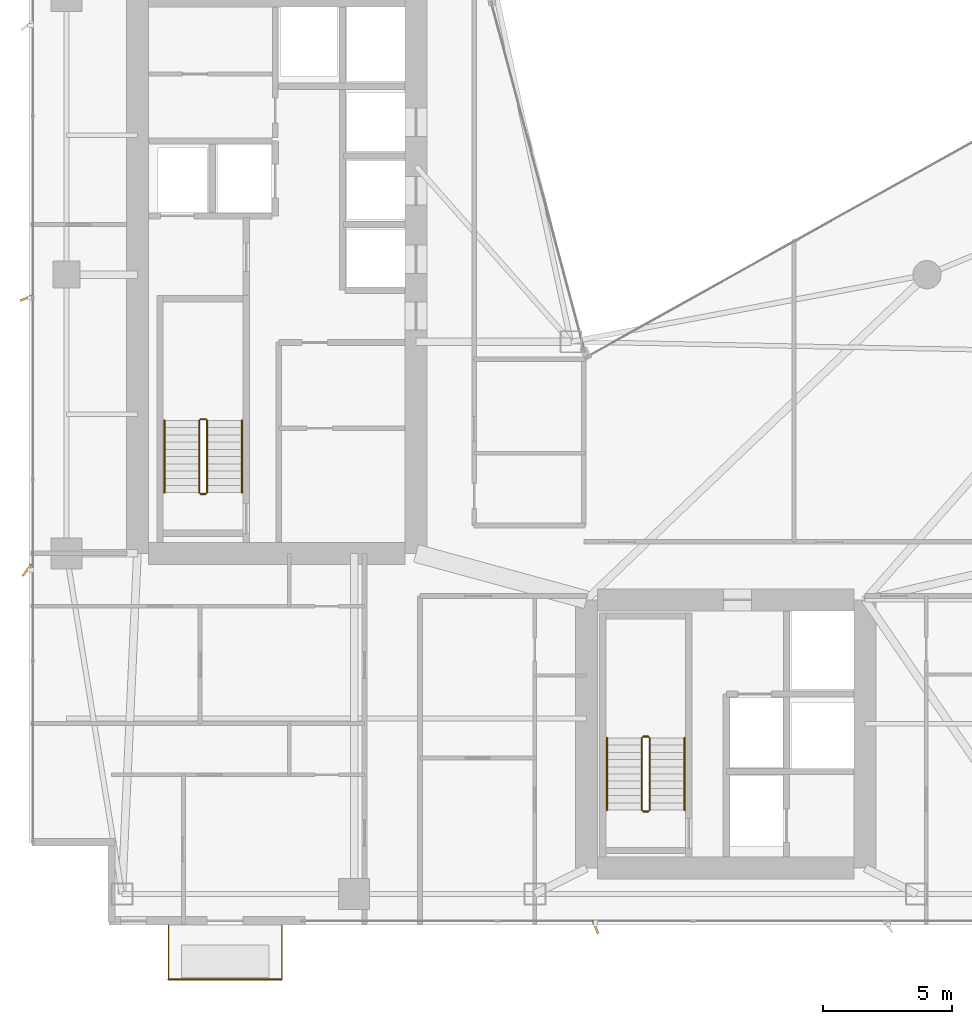
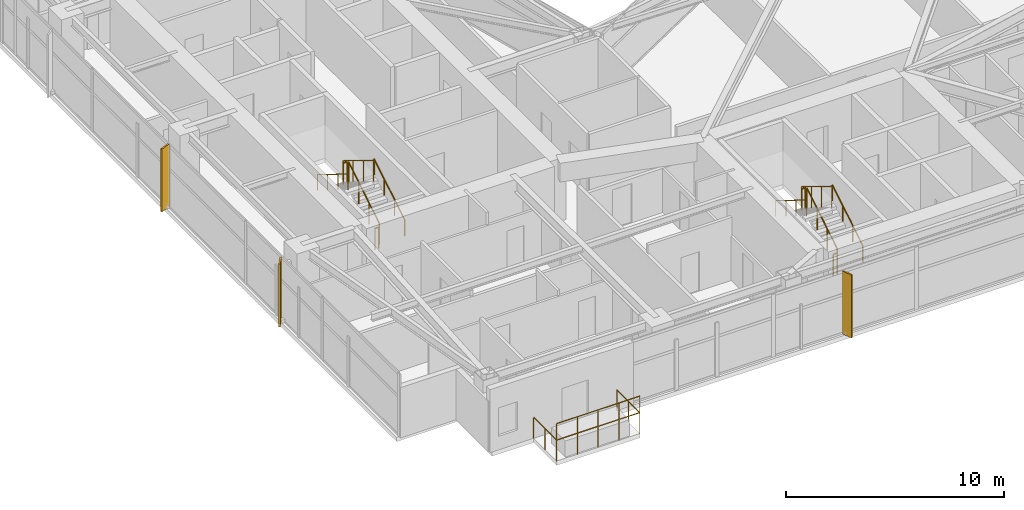
# One storey, part 27 of 28: 14 railings, 3 shading devices.
"""IFC4 building model written with IfcOpenShell, lengths in metres."""

from ifc_helpers import new_model, si_unit, direction, frame, origin, origin_2d, place, context, subcontext, project, spatial, rectangle, circle, extrude, material, type_object, element, save


model = new_model("IFC4")

# Units and contexts
model_context = context("Model", 3, precision=1e-05, world=origin(), true_north=direction((0.0, 1.0)))
body_context = subcontext(model_context, "Body", "Model", "MODEL_VIEW")
ifc_project = project(units=[si_unit("LENGTHUNIT", "METRE"), si_unit("AREAUNIT", "SQUARE_METRE"), si_unit("VOLUMEUNIT", "CUBIC_METRE"), si_unit("PLANEANGLEUNIT", "RADIAN"), si_unit("MASSUNIT", "GRAM", prefix="KILO")], contexts=[model_context])

# Site, building, storey
site_placement = place(None, origin())
site = spatial("IfcSite", under=ifc_project, at=site_placement, CompositionType="ELEMENT")
building_placement = place(site_placement, origin())
building = spatial("IfcBuilding", under=site, at=building_placement, Name="Calvorn Quay Hotel", CompositionType="ELEMENT")
storey_placement = place(building_placement, frame((0.0, 0.0, 135.39990234375)))
storey = spatial("IfcBuildingStorey", under=building, at=storey_placement, Name="L33", CompositionType="ELEMENT", Elevation=135.39990234375)

# Railings
ifc_material_1 = material(Name="Pale Anodised Aluminium and Laminated Glass", Category="aluminium")
railing_type_1 = type_object("IfcRailingType", Name="RLG-BALUSTRADE-1200", PredefinedType="BALUSTRADE", material=ifc_material_1)
railing_1_placement = place(storey_placement, frame((5.39990234375, 2.389892578125, 0.0)))
element("IfcRailing", 1, at=railing_1_placement, inside=storey, type_object=railing_type_1, Name="Tree Balcony Perimeter Balustrade L33-BALC-S", PredefinedType="BALUSTRADE", context=body_context, shape_type="SweptSolid", body=[
    extrude(circle(Radius=0.02392578125, at=origin_2d()), frame((0.0, 0.0, 1.17578125), z_axis=(0.0, -1.0, 0.0), x_axis=(1.0, 0.0, 0.0)), (0.0, 0.0, 1.0), 2.099853515625),
    extrude(circle(Radius=0.02392578125, at=origin_2d()), frame((0.0, -2.099853515625, 1.17578125), z_axis=(1.0, 0.0, 0.0), x_axis=(0.0, 1.0, 0.0)), (0.0, 0.0, 1.0), 4.400146484375),
    extrude(circle(Radius=0.02392578125, at=origin_2d()), frame((4.400146484375, -2.099853515625, 1.17578125), z_axis=(0.0, 1.0, 0.0), x_axis=(-1.0, 0.0, 0.0)), (0.0, 0.0, 1.0), 2.099853515625),
    extrude(circle(Radius=0.02099609375, at=origin_2d()), origin(), (0.0, 0.0, 1.0), 1.15185546875),
    extrude(circle(Radius=0.02099609375, at=origin_2d()), frame((0.0, -1.0498046875, 0.0)), (0.0, 0.0, 1.0), 1.15185546875),
    extrude(circle(Radius=0.02099609375, at=origin_2d()), frame((0.0, -2.099853515625, 0.0)), (0.0, 0.0, 1.0), 1.15185546875),
    extrude(circle(Radius=0.02099609375, at=origin_2d()), frame((1.10009765625, -2.099853515625, 0.0)), (0.0, 0.0, 1.0), 1.15185546875),
    extrude(circle(Radius=0.02099609375, at=origin_2d()), frame((2.2001953125, -2.099853515625, 0.0)), (0.0, 0.0, 1.0), 1.15185546875),
    extrude(circle(Radius=0.02099609375, at=origin_2d()), frame((3.300048828125, -2.099853515625, 0.0)), (0.0, 0.0, 1.0), 1.15185546875),
    extrude(circle(Radius=0.02099609375, at=origin_2d()), frame((4.400146484375, -2.099853515625, 0.0)), (0.0, 0.0, 1.0), 1.15185546875),
    extrude(circle(Radius=0.02099609375, at=origin_2d()), frame((4.400146484375, -1.0498046875, 0.0)), (0.0, 0.0, 1.0), 1.15185546875),
    extrude(circle(Radius=0.02099609375, at=origin_2d()), frame((4.400146484375, 0.0, 0.0)), (0.0, 0.0, 1.0), 1.15185546875),
])
railing_2_placement = place(storey_placement, frame((5.39990234375, 0.2900390625, 0.900146484375)))
element("IfcRailing", 2, at=railing_2_placement, inside=storey, type_object=railing_type_1, Name="Planter Kerb High Safety Screen L33-BALC-S", PredefinedType="BALUSTRADE", context=body_context, shape_type="SweptSolid", body=[
    extrude(circle(Radius=0.02392578125, at=origin_2d()), frame((0.0, 0.0, 1.19580078125), z_axis=(1.0, 0.0, 0.0), x_axis=(0.0, 1.0, 0.0)), (0.0, 0.0, 1.0), 4.400146484375),
    extrude(circle(Radius=0.02099609375, at=origin_2d()), origin(), (0.0, 0.0, 1.0), 1.171875),
    extrude(circle(Radius=0.02099609375, at=origin_2d()), frame((1.10009765625, 0.0, 0.0)), (0.0, 0.0, 1.0), 1.171875),
    extrude(circle(Radius=0.02099609375, at=origin_2d()), frame((2.2001953125, 0.0, 0.0)), (0.0, 0.0, 1.0), 1.171875),
    extrude(circle(Radius=0.02099609375, at=origin_2d()), frame((3.300048828125, 0.0, 0.0)), (0.0, 0.0, 1.0), 1.171875),
    extrude(circle(Radius=0.02099609375, at=origin_2d()), frame((4.400146484375, 0.0, 0.0)), (0.0, 0.0, 1.0), 1.171875),
])
ifc_material_2 = material(Name="Brushed Stainless Steel Handrail", Category="steel")
railing_type_2 = type_object("IfcRailingType", Name="RLG-HANDRAIL-900", PredefinedType="HANDRAIL", material=ifc_material_2)
railing_3_placement = place(storey_placement, frame((8.25, 19.14990234375, 0.1728515625)))
element("IfcRailing", 3, at=railing_3_placement, inside=storey, type_object=railing_type_2, Name="L33 ST-W stair handrail 1", PredefinedType="HANDRAIL", context=body_context, shape_type="SweptSolid", body=[
    extrude(circle(Radius=0.02392578125, at=origin_2d()), frame((0.0, 0.0, 0.8759765625), z_axis=(0.0, 0.851089632645, 0.525020415988), x_axis=(-1.0, 0.0, 0.0)), (0.0, 0.0, 1.0), 3.2900390625),
    extrude(circle(Radius=0.02099609375, at=origin_2d()), origin(), (0.0, 0.0, 1.0), 0.851806640625),
    extrude(circle(Radius=0.02099609375, at=origin_2d()), frame((0.0, 0.933349609375, 0.57568359375)), (0.0, 0.0, 1.0), 0.851806640625),
    extrude(circle(Radius=0.02099609375, at=origin_2d()), frame((0.0, 1.86669921875, 1.151611328125)), (0.0, 0.0, 1.0), 0.851806640625),
    extrude(circle(Radius=0.02099609375, at=origin_2d()), frame((0.0, 2.800048828125, 1.727294921875)), (0.0, 0.0, 1.0), 0.851806640625),
])
railing_4_placement = place(storey_placement, frame((5.25, 21.949951171875, 2.07275390625)))
element("IfcRailing", 4, at=railing_4_placement, inside=storey, type_object=railing_type_2, Name="L33 ST-W stair handrail 2", PredefinedType="HANDRAIL", context=body_context, shape_type="SweptSolid", body=[
    extrude(circle(Radius=0.02392578125, at=origin_2d()), frame((0.0, 0.0, 0.8759765625), z_axis=(0.0, -0.851089632645, 0.525020415988), x_axis=(1.0, 0.0, 0.0)), (0.0, 0.0, 1.0), 3.2900390625),
    extrude(circle(Radius=0.02099609375, at=origin_2d()), origin(), (0.0, 0.0, 1.0), 0.851806640625),
    extrude(circle(Radius=0.02099609375, at=origin_2d()), frame((0.0, -0.933349609375, 0.57568359375)), (0.0, 0.0, 1.0), 0.851806640625),
    extrude(circle(Radius=0.02099609375, at=origin_2d()), frame((0.0, -1.86669921875, 1.151611328125)), (0.0, 0.0, 1.0), 0.851806640625),
    extrude(circle(Radius=0.02099609375, at=origin_2d()), frame((0.0, -2.800048828125, 1.727294921875)), (0.0, 0.0, 1.0), 0.851806640625),
])
railing_5_placement = place(storey_placement, frame((25.39990234375, 6.85009765625, 0.1728515625)))
element("IfcRailing", 5, at=railing_5_placement, inside=storey, type_object=railing_type_2, Name="L33 ST-E stair handrail 1", PredefinedType="HANDRAIL", context=body_context, shape_type="SweptSolid", body=[
    extrude(circle(Radius=0.02392578125, at=origin_2d()), frame((0.0, 0.0, 0.8759765625), z_axis=(0.0, 0.851069175582, 0.525053576669), x_axis=(-1.0, 0.0, 0.0)), (0.0, 0.0, 1.0), 3.289794921875),
    extrude(circle(Radius=0.02099609375, at=origin_2d()), origin(), (0.0, 0.0, 1.0), 0.851806640625),
    extrude(circle(Radius=0.02099609375, at=origin_2d()), frame((0.0, 0.933349609375, 0.57568359375)), (0.0, 0.0, 1.0), 0.851806640625),
    extrude(circle(Radius=0.02099609375, at=origin_2d()), frame((0.0, 1.866455078125, 1.151611328125)), (0.0, 0.0, 1.0), 0.851806640625),
    extrude(circle(Radius=0.02099609375, at=origin_2d()), frame((0.0, 2.7998046875, 1.727294921875)), (0.0, 0.0, 1.0), 0.851806640625),
])
railing_6_placement = place(storey_placement, frame((22.39990234375, 9.64990234375, 2.07275390625)))
element("IfcRailing", 6, at=railing_6_placement, inside=storey, type_object=railing_type_2, Name="L33 ST-E stair handrail 2", PredefinedType="HANDRAIL", context=body_context, shape_type="SweptSolid", body=[
    extrude(circle(Radius=0.02392578125, at=origin_2d()), frame((0.0, 0.0, 0.8759765625), z_axis=(0.0, -0.851069175582, 0.525053576669), x_axis=(1.0, 0.0, 0.0)), (0.0, 0.0, 1.0), 3.289794921875),
    extrude(circle(Radius=0.02099609375, at=origin_2d()), origin(), (0.0, 0.0, 1.0), 0.851806640625),
    extrude(circle(Radius=0.02099609375, at=origin_2d()), frame((0.0, -0.933349609375, 0.57568359375)), (0.0, 0.0, 1.0), 0.851806640625),
    extrude(circle(Radius=0.02099609375, at=origin_2d()), frame((0.0, -1.866455078125, 1.151611328125)), (0.0, 0.0, 1.0), 0.851806640625),
    extrude(circle(Radius=0.02099609375, at=origin_2d()), frame((0.0, -2.7998046875, 1.727294921875)), (0.0, 0.0, 1.0), 0.851806640625),
])
ifc_material_3 = material(Name="Painted Galvanised Steel Balustrade", Category="steel")
railing_type_3 = type_object("IfcRailingType", Name="RLG-STAIR-GUARD-1120", PredefinedType="GUARDRAIL", material=ifc_material_3)
railing_7_placement = place(storey_placement, frame((6.89990234375, 19.14990234375, 0.1728515625)))
element("IfcRailing", 7, at=railing_7_placement, inside=storey, type_object=railing_type_3, Name="L33 ST-W stair guard 1", PredefinedType="GUARDRAIL", context=body_context, shape_type="SweptSolid", body=[
    extrude(circle(Radius=0.02392578125, at=origin_2d()), frame((0.0, 0.0, 1.17578125), z_axis=(0.0, 0.851089632645, 0.525020415988), x_axis=(-1.0, 0.0, 0.0)), (0.0, 0.0, 1.0), 3.2900390625),
    extrude(circle(Radius=0.02099609375, at=origin_2d()), origin(), (0.0, 0.0, 1.0), 1.15185546875),
    extrude(circle(Radius=0.02099609375, at=origin_2d()), frame((0.0, 0.933349609375, 0.57568359375)), (0.0, 0.0, 1.0), 1.15185546875),
    extrude(circle(Radius=0.02099609375, at=origin_2d()), frame((0.0, 1.86669921875, 1.151611328125)), (0.0, 0.0, 1.0), 1.15185546875),
    extrude(circle(Radius=0.02099609375, at=origin_2d()), frame((0.0, 2.800048828125, 1.727294921875)), (0.0, 0.0, 1.0), 1.15185546875),
])
railing_8_placement = place(storey_placement, frame((6.85009765625, 22.0, 1.900146484375)))
element("IfcRailing", 8, at=railing_8_placement, inside=storey, type_object=railing_type_3, Name="L33 ST-W stair guard 2", PredefinedType="GUARDRAIL", context=body_context, shape_type="SweptSolid", body=[
    extrude(circle(Radius=0.02392578125, at=origin_2d()), frame((0.0, 0.0, 1.17578125), z_axis=(-1.0, 0.0, 0.0), x_axis=(0.0, -1.0, 0.0)), (0.0, 0.0, 1.0), 0.2001953125),
    extrude(circle(Radius=0.02099609375, at=origin_2d()), origin(), (0.0, 0.0, 1.0), 1.15185546875),
    extrude(circle(Radius=0.02099609375, at=origin_2d()), frame((-0.2001953125, 0.0, 0.0)), (0.0, 0.0, 1.0), 1.15185546875),
])
railing_9_placement = place(storey_placement, frame((6.60009765625, 21.949951171875, 2.07275390625)))
element("IfcRailing", 9, at=railing_9_placement, inside=storey, type_object=railing_type_3, Name="L33 ST-W stair guard 3", PredefinedType="GUARDRAIL", context=body_context, shape_type="SweptSolid", body=[
    extrude(circle(Radius=0.02392578125, at=origin_2d()), frame((0.0, 0.0, 1.17578125), z_axis=(0.0, -0.851089632645, 0.525020415988), x_axis=(1.0, 0.0, 0.0)), (0.0, 0.0, 1.0), 3.2900390625),
    extrude(circle(Radius=0.02099609375, at=origin_2d()), origin(), (0.0, 0.0, 1.0), 1.15185546875),
    extrude(circle(Radius=0.02099609375, at=origin_2d()), frame((0.0, -0.933349609375, 0.57568359375)), (0.0, 0.0, 1.0), 1.15185546875),
    extrude(circle(Radius=0.02099609375, at=origin_2d()), frame((0.0, -1.86669921875, 1.151611328125)), (0.0, 0.0, 1.0), 1.15185546875),
    extrude(circle(Radius=0.02099609375, at=origin_2d()), frame((0.0, -2.800048828125, 1.727294921875)), (0.0, 0.0, 1.0), 1.15185546875),
])
railing_10_placement = place(storey_placement, frame((6.85009765625, 19.10009765625, 0.0)))
element("IfcRailing", 10, at=railing_10_placement, inside=storey, type_object=railing_type_3, Name="L33 ST-W stair guard 4", PredefinedType="GUARDRAIL", context=body_context, shape_type="SweptSolid", body=[
    extrude(circle(Radius=0.02392578125, at=origin_2d()), frame((0.0, 0.0, 1.17578125), z_axis=(-1.0, 0.0, 0.0), x_axis=(0.0, -1.0, 0.0)), (0.0, 0.0, 1.0), 0.2001953125),
    extrude(circle(Radius=0.02099609375, at=origin_2d()), origin(), (0.0, 0.0, 1.0), 1.15185546875),
    extrude(circle(Radius=0.02099609375, at=origin_2d()), frame((-0.2001953125, 0.0, 0.0)), (0.0, 0.0, 1.0), 1.15185546875),
])
railing_11_placement = place(storey_placement, frame((24.050048828125, 6.85009765625, 0.1728515625)))
element("IfcRailing", 11, at=railing_11_placement, inside=storey, type_object=railing_type_3, Name="L33 ST-E stair guard 1", PredefinedType="GUARDRAIL", context=body_context, shape_type="SweptSolid", body=[
    extrude(circle(Radius=0.02392578125, at=origin_2d()), frame((0.0, 0.0, 1.17578125), z_axis=(0.0, 0.851069175582, 0.525053576669), x_axis=(-1.0, 0.0, 0.0)), (0.0, 0.0, 1.0), 3.289794921875),
    extrude(circle(Radius=0.02099609375, at=origin_2d()), origin(), (0.0, 0.0, 1.0), 1.15185546875),
    extrude(circle(Radius=0.02099609375, at=origin_2d()), frame((0.0, 0.933349609375, 0.57568359375)), (0.0, 0.0, 1.0), 1.15185546875),
    extrude(circle(Radius=0.02099609375, at=origin_2d()), frame((0.0, 1.866455078125, 1.151611328125)), (0.0, 0.0, 1.0), 1.15185546875),
    extrude(circle(Radius=0.02099609375, at=origin_2d()), frame((0.0, 2.7998046875, 1.727294921875)), (0.0, 0.0, 1.0), 1.15185546875),
])
railing_12_placement = place(storey_placement, frame((24.0, 9.699951171875, 1.900146484375)))
element("IfcRailing", 12, at=railing_12_placement, inside=storey, type_object=railing_type_3, Name="L33 ST-E stair guard 2", PredefinedType="GUARDRAIL", context=body_context, shape_type="SweptSolid", body=[
    extrude(circle(Radius=0.02392578125, at=origin_2d()), frame((0.0, 0.0, 1.17578125), z_axis=(-1.0, 0.0, 0.0), x_axis=(0.0, -1.0, 0.0)), (0.0, 0.0, 1.0), 0.199951171875),
    extrude(circle(Radius=0.02099609375, at=origin_2d()), origin(), (0.0, 0.0, 1.0), 1.15185546875),
    extrude(circle(Radius=0.02099609375, at=origin_2d()), frame((-0.199951171875, 0.0, 0.0)), (0.0, 0.0, 1.0), 1.15185546875),
])
railing_13_placement = place(storey_placement, frame((23.75, 9.64990234375, 2.07275390625)))
element("IfcRailing", 13, at=railing_13_placement, inside=storey, type_object=railing_type_3, Name="L33 ST-E stair guard 3", PredefinedType="GUARDRAIL", context=body_context, shape_type="SweptSolid", body=[
    extrude(circle(Radius=0.02392578125, at=origin_2d()), frame((0.0, 0.0, 1.17578125), z_axis=(0.0, -0.851069175582, 0.525053576669), x_axis=(1.0, 0.0, 0.0)), (0.0, 0.0, 1.0), 3.289794921875),
    extrude(circle(Radius=0.02099609375, at=origin_2d()), origin(), (0.0, 0.0, 1.0), 1.15185546875),
    extrude(circle(Radius=0.02099609375, at=origin_2d()), frame((0.0, -0.933349609375, 0.57568359375)), (0.0, 0.0, 1.0), 1.15185546875),
    extrude(circle(Radius=0.02099609375, at=origin_2d()), frame((0.0, -1.866455078125, 1.151611328125)), (0.0, 0.0, 1.0), 1.15185546875),
    extrude(circle(Radius=0.02099609375, at=origin_2d()), frame((0.0, -2.7998046875, 1.727294921875)), (0.0, 0.0, 1.0), 1.15185546875),
])
railing_14_placement = place(storey_placement, frame((24.0, 6.800048828125, 0.0)))
element("IfcRailing", 14, at=railing_14_placement, inside=storey, type_object=railing_type_3, Name="L33 ST-E stair guard 4", PredefinedType="GUARDRAIL", context=body_context, shape_type="SweptSolid", body=[
    extrude(circle(Radius=0.02392578125, at=origin_2d()), frame((0.0, 0.0, 1.17578125), z_axis=(-1.0, 0.0, 0.0), x_axis=(0.0, -1.0, 0.0)), (0.0, 0.0, 1.0), 0.199951171875),
    extrude(circle(Radius=0.02099609375, at=origin_2d()), origin(), (0.0, 0.0, 1.0), 1.15185546875),
    extrude(circle(Radius=0.02099609375, at=origin_2d()), frame((-0.199951171875, 0.0, 0.0)), (0.0, 0.0, 1.0), 1.15185546875),
])

# Shading devices
ifc_material_4 = material(Name="Champagne Bronze Anodised Aluminium 6063-T6", Category="aluminium")
shading_device_type_1 = type_object("IfcShadingDeviceType", Name="SHD-FIN-A1", PredefinedType="USERDEFINED", material=ifc_material_4)
for number, where, z_axis, x_axis, name in (
    (15, (-0.080078125, 26.699951171875, 0.0), (0.0, 0.0, 1.0), (0.927183854567, 0.374606593416, 0.0), "Diagonal Sun-Shading Fin L33-W02"),
    (16, (21.949951171875, 2.320068359375, 0.0), (0.0, 0.0, 1.0), (-0.374606593416, 0.927183854567, 0.0), "Diagonal Sun-Shading Fin L33-S01"),
):
    element("IfcShadingDevice", number, at=place(storey_placement, frame(where, z_axis=z_axis, x_axis=x_axis)), inside=storey, type_object=shading_device_type_1, Name=name, ObjectType="FIN", PredefinedType="USERDEFINED", context=body_context, shape_type="SweptSolid", body=[
        extrude(rectangle(XDim=0.550048828125, YDim=0.080078125, at=origin_2d()), origin(), (0.0, 0.0, 1.0), 3.52001953125),
    ])
ifc_material_5 = material(Name="Champagne Bronze Anodised Aluminium 6063-T6", Category="aluminium")
shading_device_type_2 = type_object("IfcShadingDeviceType", Name="SHD-FIN-A3", PredefinedType="USERDEFINED", material=ifc_material_5)
shading_device_placement = place(storey_placement, frame((-0.080078125, 16.14990234375, 0.0), z_axis=(0.0, 0.0, 1.0), x_axis=(0.587785252292, 0.809016994375, 0.0)))
element("IfcShadingDevice", 17, at=shading_device_placement, inside=storey, type_object=shading_device_type_2, Name="Diagonal Sun-Shading Fin L33-W01", ObjectType="FIN", PredefinedType="USERDEFINED", context=body_context, shape_type="SweptSolid", body=[
    extrude(rectangle(XDim=0.550048828125, YDim=0.080078125, at=origin_2d()), origin(), (0.0, 0.0, 1.0), 3.52001953125),
])

save(model, "model.ifc")
